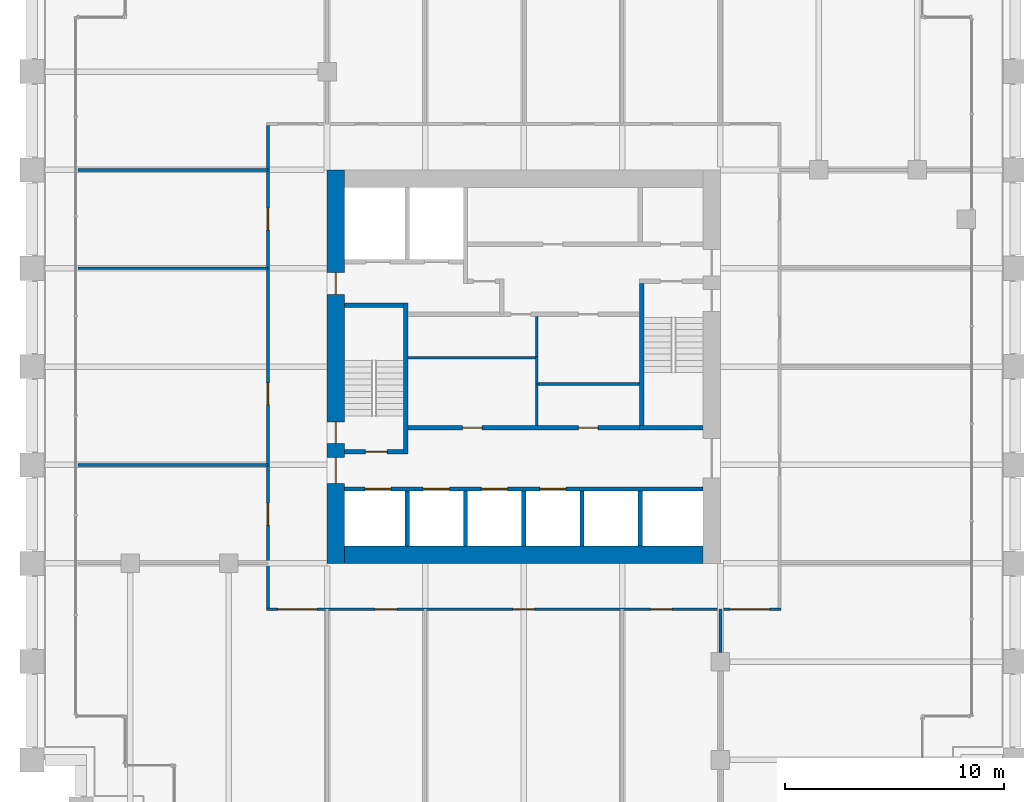
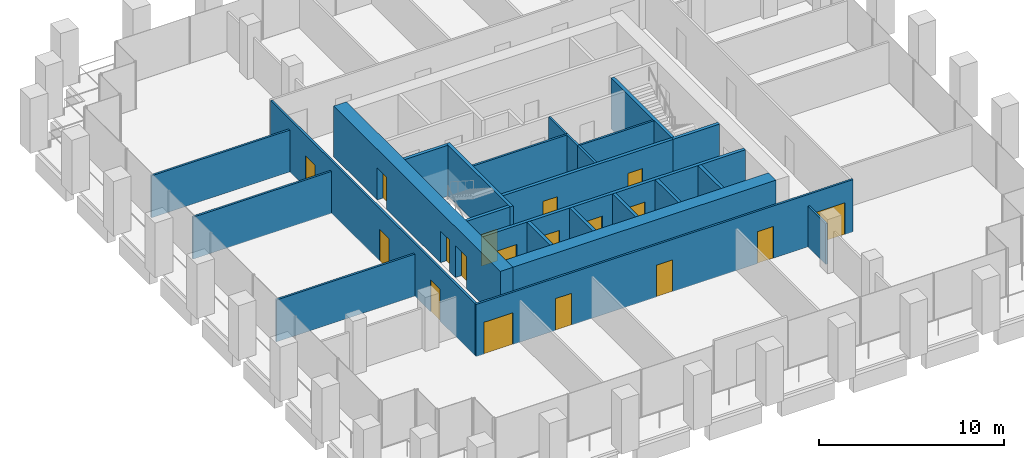
# One storey, part 49 of 55: 25 walls, 18 doors, 18 openings.
"""IFC4 building model written with IfcOpenShell, lengths in metres."""

from ifc_helpers import new_model, si_unit, direction, frame, frame_2d, origin, place, context, subcontext, project, spatial, rectangle, extrude, material, layer, layer_set, type_object, element, fill, save


model = new_model("IFC4")

# Units and contexts
model_context = context("Model", 3, precision=1e-05, world=origin(), true_north=direction((0.0, 1.0)))
body_context = subcontext(model_context, "Body", "Model", "MODEL_VIEW")
ifc_project = project(units=[si_unit("LENGTHUNIT", "METRE"), si_unit("AREAUNIT", "SQUARE_METRE"), si_unit("VOLUMEUNIT", "CUBIC_METRE"), si_unit("PLANEANGLEUNIT", "RADIAN"), si_unit("MASSUNIT", "GRAM", prefix="KILO")], contexts=[model_context])

# Site, building, storey
site_placement = place(None, origin())
site = spatial("IfcSite", under=ifc_project, at=site_placement, CompositionType="ELEMENT")
building_placement = place(site_placement, origin())
building = spatial("IfcBuilding", under=site, at=building_placement, Name="Altepetl Exchange Towers", CompositionType="ELEMENT")
storey_placement = place(building_placement, frame((0.0, 0.0, 47.39990234375)))
storey = spatial("IfcBuildingStorey", under=building, at=storey_placement, Name="L10", CompositionType="ELEMENT", Elevation=47.39990234375)

# Wall
ifc_material_1 = material(Name="Concrete C70/85", Category="concrete")
ifc_layer_1 = layer(ifc_material_1, 0.800048828125)
ifc_layer_set_1 = layer_set([ifc_layer_1], Name="Concrete C70/85")
wall_type_1 = type_object("IfcWallType", Name="Core wall 800 reinforced concrete", PredefinedType="SHEAR", material=ifc_layer_set_1)
wall_1_placement = place(storey_placement, frame((41.300048828125, 40.89990234375, 0.0)))
element("IfcWall", 1, at=wall_1_placement, inside=storey, type_object=wall_type_1, Name="wall:A:L10:K-coreS", PredefinedType="SHEAR", context=body_context, shape_type="SweptSolid", body=[
    extrude(rectangle(XDim=16.39990234375, YDim=0.800048828125, at=frame_2d((8.199951171875, 0.0))), origin(), (0.0, 0.0, 1.0), 3.35009765625),
])

# Wall, openings, doors
wall_2_placement = place(storey_placement, frame((40.89990234375, 40.5, 0.0), z_axis=(0.0, 0.0, 1.0), x_axis=(0.0, 1.0, 0.0)))
wall_2 = element("IfcWall", 2, at=wall_2_placement, inside=storey, type_object=wall_type_1, Name="wall:A:L10:K-coreW", PredefinedType="SHEAR", context=body_context, shape_type="SweptSolid", body=[
    extrude(rectangle(XDim=18.0, YDim=0.800048828125, at=frame_2d((9.0, 0.0))), origin(), (0.0, 0.0, 1.0), 3.35009765625),
])
opening_1_placement = place(wall_2_placement, frame((3.64990234375, 0.0, 0.0)))
opening_1 = element("IfcOpeningElement", 3, at=opening_1_placement, cuts=wall_2, Name="Opening L10.A62", PredefinedType="OPENING", context=body_context, shape_type="SweptSolid", body=[
    extrude(rectangle(XDim=1.199951171875, YDim=2.10009765625, at=frame_2d((0.60009765625, 1.050048828125))), frame((0.0, 0.41015625, 0.0), z_axis=(0.0, -1.0, 0.0), x_axis=(1.0, 0.0, 0.0)), (0.0, 0.0, 1.0), 0.820068359375),
])
opening_2_placement = place(wall_2_placement, frame((5.47509765625, 0.0, 0.0)))
opening_2 = element("IfcOpeningElement", 4, at=opening_2_placement, cuts=wall_2, Name="Opening L10.A64", PredefinedType="OPENING", context=body_context, shape_type="SweptSolid", body=[
    extrude(rectangle(XDim=1.0, YDim=2.10009765625, at=frame_2d((0.5, 1.050048828125))), frame((0.0, 0.41015625, 0.0), z_axis=(0.0, -1.0, 0.0), x_axis=(1.0, 0.0, 0.0)), (0.0, 0.0, 1.0), 0.820068359375),
])
opening_3_placement = place(wall_2_placement, frame((12.300048828125, 0.0, 0.0)))
opening_3 = element("IfcOpeningElement", 5, at=opening_3_placement, cuts=wall_2, Name="Opening L10.A68", PredefinedType="OPENING", context=body_context, shape_type="SweptSolid", body=[
    extrude(rectangle(XDim=1.0, YDim=2.10009765625, at=frame_2d((0.5, 1.050048828125))), frame((0.0, 0.41015625, 0.0), z_axis=(0.0, -1.0, 0.0), x_axis=(1.0, 0.0, 0.0)), (0.0, 0.0, 1.0), 0.820068359375),
])
ifc_material_2 = material(Name="Steel and timber fire door", Category="steel")
door_type_1 = type_object("IfcDoorType", Name="Fire door 1000 x 2100 stair and lobby", OperationType="SINGLE_SWING_LEFT", PredefinedType="DOOR", material=ifc_material_2)
door_1_placement = place(opening_2_placement, frame((1.0, 0.0, 0.0), x_axis=(-1.0, 0.0, 0.0)))
door_1 = element("IfcDoor", 6, at=door_1_placement, inside=storey, type_object=door_type_1, Name="door:A:L10:K-dS1x", OperationType="SINGLE_SWING_RIGHT", OverallHeight=2.10009765625, OverallWidth=1.0, PredefinedType="DOOR", context=body_context, shape_type="SweptSolid", body=[
    extrude(rectangle(XDim=1.0, YDim=2.10009765625, at=frame_2d((0.5, 1.050048828125))), frame((0.0, 0.02490234375, 0.0), z_axis=(0.0, -1.0, 0.0), x_axis=(1.0, 0.0, 0.0)), (0.0, 0.0, 1.0), 0.050048828125),
])
fill(opening_2, door_1)
door_2_placement = place(opening_3_placement, frame((1.0, 0.0, 0.0), x_axis=(-1.0, 0.0, 0.0)))
door_2 = element("IfcDoor", 7, at=door_2_placement, inside=storey, type_object=door_type_1, Name="door:A:L10:K-dffW", OperationType="SINGLE_SWING_LEFT", OverallHeight=2.10009765625, OverallWidth=1.0, PredefinedType="DOOR", context=body_context, shape_type="SweptSolid", body=[
    extrude(rectangle(XDim=1.0, YDim=2.10009765625, at=frame_2d((0.5, 1.050048828125))), frame((0.0, 0.02490234375, 0.0), z_axis=(0.0, -1.0, 0.0), x_axis=(1.0, 0.0, 0.0)), (0.0, 0.0, 1.0), 0.050048828125),
])
fill(opening_3, door_2)
door_type_2 = type_object("IfcDoorType", Name="Fire door 1200 x 2100 lobby entry", OperationType="SINGLE_SWING_LEFT", PredefinedType="DOOR", material=ifc_material_2)
door_3_placement = place(opening_1_placement, frame((1.199951171875, 0.0, 0.0), x_axis=(-1.0, 0.0, 0.0)))
door_3 = element("IfcDoor", 8, at=door_3_placement, inside=storey, type_object=door_type_2, Name="door:A:L10:K-dLSW", OperationType="SINGLE_SWING_LEFT", OverallHeight=2.10009765625, OverallWidth=1.199951171875, PredefinedType="DOOR", context=body_context, shape_type="SweptSolid", body=[
    extrude(rectangle(XDim=1.199951171875, YDim=2.10009765625, at=frame_2d((0.60009765625, 1.050048828125))), frame((0.0, 0.02490234375, 0.0), z_axis=(0.0, -1.0, 0.0), x_axis=(1.0, 0.0, 0.0)), (0.0, 0.0, 1.0), 0.050048828125),
])
fill(opening_1, door_3)

ifc_material_3 = material(Name="Concrete blockwork", Category="masonry")
ifc_layer_2 = layer(ifc_material_3, 0.199951171875)
ifc_layer_set_2 = layer_set([ifc_layer_2], Name="Concrete blockwork")
wall_type_2 = type_object("IfcWallType", Name="Lobby wall 200 blockwork", PredefinedType="PARTITIONING", material=ifc_layer_set_2)
wall_3_placement = place(storey_placement, frame((44.199951171875, 46.699951171875, 0.0)))
wall_3 = element("IfcWall", 9, at=wall_3_placement, inside=storey, type_object=wall_type_2, Name="wall:A:L10:K-zoneS", PredefinedType="PARTITIONING", context=body_context, shape_type="SweptSolid", body=[
    extrude(rectangle(XDim=10.60009765625, YDim=0.199951171875, at=frame_2d((5.300048828125, 0.0))), origin(), (0.0, 0.0, 1.0), 3.35009765625),
])
opening_4_placement = place(wall_3_placement, frame((2.5, 0.0, 0.0)))
opening_4 = element("IfcOpeningElement", 10, at=opening_4_placement, cuts=wall_3, Name="Opening L10.A71", PredefinedType="OPENING", context=body_context, shape_type="SweptSolid", body=[
    extrude(rectangle(XDim=0.89990234375, YDim=2.10009765625, at=frame_2d((0.449951171875, 1.050048828125))), frame((0.0, 0.10986328125, 0.0), z_axis=(0.0, -1.0, 0.0), x_axis=(1.0, 0.0, 0.0)), (0.0, 0.0, 1.0), 0.219970703125),
])
opening_5_placement = place(wall_3_placement, frame((7.800048828125, 0.0, 0.0)))
opening_5 = element("IfcOpeningElement", 11, at=opening_5_placement, cuts=wall_3, Name="Opening L10.A73", PredefinedType="OPENING", context=body_context, shape_type="SweptSolid", body=[
    extrude(rectangle(XDim=0.89990234375, YDim=2.10009765625, at=frame_2d((0.449951171875, 1.050048828125))), frame((0.0, 0.10986328125, 0.0), z_axis=(0.0, -1.0, 0.0), x_axis=(1.0, 0.0, 0.0)), (0.0, 0.0, 1.0), 0.219970703125),
])
door_type_3 = type_object("IfcDoorType", Name="Fire door 900 x 2100 service room", OperationType="SINGLE_SWING_LEFT", PredefinedType="DOOR", material=ifc_material_2)
door_4_placement = place(opening_4_placement, origin())
door_4 = element("IfcDoor", 12, at=door_4_placement, inside=storey, type_object=door_type_3, Name="door:A:L10:K-dz1", OperationType="SINGLE_SWING_RIGHT", OverallHeight=2.10009765625, OverallWidth=0.89990234375, PredefinedType="DOOR", context=body_context, shape_type="SweptSolid", body=[
    extrude(rectangle(XDim=0.89990234375, YDim=2.10009765625, at=frame_2d((0.449951171875, 1.050048828125))), frame((0.0, 0.02490234375, 0.0), z_axis=(0.0, -1.0, 0.0), x_axis=(1.0, 0.0, 0.0)), (0.0, 0.0, 1.0), 0.050048828125),
])
fill(opening_4, door_4)
door_5_placement = place(opening_5_placement, origin())
door_5 = element("IfcDoor", 13, at=door_5_placement, inside=storey, type_object=door_type_3, Name="door:A:L10:K-dz3", OperationType="SINGLE_SWING_RIGHT", OverallHeight=2.10009765625, OverallWidth=0.89990234375, PredefinedType="DOOR", context=body_context, shape_type="SweptSolid", body=[
    extrude(rectangle(XDim=0.89990234375, YDim=2.10009765625, at=frame_2d((0.449951171875, 1.050048828125))), frame((0.0, 0.02490234375, 0.0), z_axis=(0.0, -1.0, 0.0), x_axis=(1.0, 0.0, 0.0)), (0.0, 0.0, 1.0), 0.050048828125),
])
fill(opening_5, door_5)

# Walls
ifc_material_4 = material(Name="Gypsum board on steel studs", Category="steel")
ifc_layer_3 = layer(ifc_material_4, 0.125)
ifc_layer_set_3 = layer_set([ifc_layer_3], Name="Gypsum board on steel studs")
wall_type_3 = type_object("IfcWallType", Name="Partition 125 gypsum board on steel studs", PredefinedType="PARTITIONING", material=ifc_layer_set_3)
wall_4_placement = place(storey_placement, frame((50.10009765625, 46.800048828125, 0.0), z_axis=(0.0, 0.0, 1.0), x_axis=(0.0, 1.0, 0.0)))
element("IfcWall", 14, at=wall_4_placement, inside=storey, type_object=wall_type_3, Name="wall:A:L10:K-zp1", PredefinedType="PARTITIONING", context=body_context, shape_type="SweptSolid", body=[
    extrude(rectangle(XDim=1.96240234375, YDim=0.125, at=frame_2d((0.981201171875, 0.0))), origin(), (0.0, 0.0, 1.0), 3.35009765625),
])
wall_5_placement = place(storey_placement, frame((54.800048828125, 48.699951171875, 0.0), z_axis=(0.0, 0.0, 1.0), x_axis=(-1.0, 0.0, 0.0)))
element("IfcWall", 15, at=wall_5_placement, inside=storey, type_object=wall_type_3, Name="wall:A:L10:K-zp2", PredefinedType="PARTITIONING", context=body_context, shape_type="SweptSolid", body=[
    extrude(rectangle(XDim=4.637451171875, YDim=0.125, at=frame_2d((2.31884765625, 0.0))), origin(), (0.0, 0.0, 1.0), 3.35009765625),
])
wall_6_placement = place(storey_placement, frame((50.10009765625, 48.699951171875, 0.0), z_axis=(0.0, 0.0, 1.0), x_axis=(0.0, 1.0, 0.0)))
element("IfcWall", 16, at=wall_6_placement, inside=storey, type_object=wall_type_3, Name="wall:A:L10:K-zp3", PredefinedType="PARTITIONING", context=body_context, shape_type="SweptSolid", body=[
    extrude(rectangle(XDim=1.262451171875, YDim=0.125, at=frame_2d((0.63134765625, 0.0))), origin(), (0.0, 0.0, 1.0), 3.35009765625),
])
wall_7_placement = place(storey_placement, frame((50.03759765625, 49.89990234375, 0.0), z_axis=(0.0, 0.0, 1.0), x_axis=(-1.0, 0.0, 0.0)))
element("IfcWall", 17, at=wall_7_placement, inside=storey, type_object=wall_type_3, Name="wall:A:L10:K-zp4", PredefinedType="PARTITIONING", context=body_context, shape_type="SweptSolid", body=[
    extrude(rectangle(XDim=5.837646484375, YDim=0.125, at=frame_2d((2.9189453125, 0.0))), origin(), (0.0, 0.0, 1.0), 3.35009765625),
])
wall_8_placement = place(storey_placement, frame((50.10009765625, 49.89990234375, 0.0), z_axis=(0.0, 0.0, 1.0), x_axis=(0.0, 1.0, 0.0)))
element("IfcWall", 18, at=wall_8_placement, inside=storey, type_object=wall_type_3, Name="wall:A:L10:K-zp5", PredefinedType="PARTITIONING", context=body_context, shape_type="SweptSolid", body=[
    extrude(rectangle(XDim=1.900146484375, YDim=0.125, at=frame_2d((0.9501953125, 0.0))), origin(), (0.0, 0.0, 1.0), 3.35009765625),
])

# Wall, openings, doors
wall_9_placement = place(storey_placement, frame((37.737548828125, 38.39990234375, 0.0)))
wall_9 = element("IfcWall", 19, at=wall_9_placement, inside=storey, type_object=wall_type_3, Name="wall:A:L10:P01", PredefinedType="PARTITIONING", context=body_context, shape_type="SweptSolid", body=[
    extrude(rectangle(XDim=23.52490234375, YDim=0.125, at=frame_2d((11.762451171875, 0.0))), origin(), (0.0, 0.0, 1.0), 3.4501953125),
])
opening_6_placement = place(wall_9_placement, frame((0.512451171875, 0.0, 0.0)))
opening_6 = element("IfcOpeningElement", 20, at=opening_6_placement, cuts=wall_9, Name="Opening L10.A02", PredefinedType="OPENING", context=body_context, shape_type="SweptSolid", body=[
    extrude(rectangle(XDim=1.800048828125, YDim=2.10009765625, at=frame_2d((0.89990234375, 1.050048828125))), frame((0.0, 0.072509765625, 0.0), z_axis=(0.0, -1.0, 0.0), x_axis=(1.0, 0.0, 0.0)), (0.0, 0.0, 1.0), 0.14501953125),
])
opening_7_placement = place(wall_9_placement, frame((4.967529296875, 0.0, 0.0)))
opening_7 = element("IfcOpeningElement", 21, at=opening_7_placement, cuts=wall_9, Name="Opening L10.A03", PredefinedType="OPENING", context=body_context, shape_type="SweptSolid", body=[
    extrude(rectangle(XDim=1.0, YDim=2.10009765625, at=frame_2d((0.5, 1.050048828125))), frame((0.0, 0.072509765625, 0.0), z_axis=(0.0, -1.0, 0.0), x_axis=(1.0, 0.0, 0.0)), (0.0, 0.0, 1.0), 0.14501953125),
])
opening_8_placement = place(wall_9_placement, frame((11.262451171875, 0.0, 0.0)))
opening_8 = element("IfcOpeningElement", 22, at=opening_8_placement, cuts=wall_9, Name="Opening L10.A04", PredefinedType="OPENING", context=body_context, shape_type="SweptSolid", body=[
    extrude(rectangle(XDim=1.0, YDim=2.10009765625, at=frame_2d((0.5, 1.050048828125))), frame((0.0, 0.072509765625, 0.0), z_axis=(0.0, -1.0, 0.0), x_axis=(1.0, 0.0, 0.0)), (0.0, 0.0, 1.0), 0.14501953125),
])
opening_9_placement = place(wall_9_placement, frame((17.5576171875, 0.0, 0.0)))
opening_9 = element("IfcOpeningElement", 23, at=opening_9_placement, cuts=wall_9, Name="Opening L10.A05", PredefinedType="OPENING", context=body_context, shape_type="SweptSolid", body=[
    extrude(rectangle(XDim=1.0, YDim=2.10009765625, at=frame_2d((0.5, 1.050048828125))), frame((0.0, 0.072509765625, 0.0), z_axis=(0.0, -1.0, 0.0), x_axis=(1.0, 0.0, 0.0)), (0.0, 0.0, 1.0), 0.14501953125),
])
opening_10_placement = place(wall_9_placement, frame((21.21240234375, 0.0, 0.0)))
opening_10 = element("IfcOpeningElement", 24, at=opening_10_placement, cuts=wall_9, Name="Opening L10.A06", PredefinedType="OPENING", context=body_context, shape_type="SweptSolid", body=[
    extrude(rectangle(XDim=1.800048828125, YDim=2.10009765625, at=frame_2d((0.89990234375, 1.050048828125))), frame((0.0, 0.072509765625, 0.0), z_axis=(0.0, -1.0, 0.0), x_axis=(1.0, 0.0, 0.0)), (0.0, 0.0, 1.0), 0.14501953125),
])
door_type_4 = type_object("IfcDoorType", Name="Fire door 1000 x 2100 single leaf", OperationType="SINGLE_SWING_LEFT", PredefinedType="DOOR", material=ifc_material_2)
door_6_placement = place(opening_7_placement, frame((1.0, 0.0, 0.0), x_axis=(-1.0, 0.0, 0.0)))
door_6 = element("IfcDoor", 25, at=door_6_placement, inside=storey, type_object=door_type_4, Name="door:A:L10:03", OperationType="SINGLE_SWING_LEFT", OverallHeight=2.10009765625, OverallWidth=1.0, PredefinedType="DOOR", context=body_context, shape_type="SweptSolid", body=[
    extrude(rectangle(XDim=1.0, YDim=2.10009765625, at=frame_2d((0.5, 1.050048828125))), frame((0.0, 0.02490234375, 0.0), z_axis=(0.0, -1.0, 0.0), x_axis=(1.0, 0.0, 0.0)), (0.0, 0.0, 1.0), 0.050048828125),
])
fill(opening_7, door_6)
door_7_placement = place(opening_8_placement, frame((1.0, 0.0, 0.0), x_axis=(-1.0, 0.0, 0.0)))
door_7 = element("IfcDoor", 26, at=door_7_placement, inside=storey, type_object=door_type_4, Name="door:A:L10:04", OperationType="SINGLE_SWING_RIGHT", OverallHeight=2.10009765625, OverallWidth=1.0, PredefinedType="DOOR", context=body_context, shape_type="SweptSolid", body=[
    extrude(rectangle(XDim=1.0, YDim=2.10009765625, at=frame_2d((0.5, 1.050048828125))), frame((0.0, 0.02490234375, 0.0), z_axis=(0.0, -1.0, 0.0), x_axis=(1.0, 0.0, 0.0)), (0.0, 0.0, 1.0), 0.050048828125),
])
fill(opening_8, door_7)
door_8_placement = place(opening_9_placement, frame((1.0, 0.0, 0.0), x_axis=(-1.0, 0.0, 0.0)))
door_8 = element("IfcDoor", 27, at=door_8_placement, inside=storey, type_object=door_type_4, Name="door:A:L10:05", OperationType="SINGLE_SWING_LEFT", OverallHeight=2.10009765625, OverallWidth=1.0, PredefinedType="DOOR", context=body_context, shape_type="SweptSolid", body=[
    extrude(rectangle(XDim=1.0, YDim=2.10009765625, at=frame_2d((0.5, 1.050048828125))), frame((0.0, 0.02490234375, 0.0), z_axis=(0.0, -1.0, 0.0), x_axis=(1.0, 0.0, 0.0)), (0.0, 0.0, 1.0), 0.050048828125),
])
fill(opening_9, door_8)
door_type_5 = type_object("IfcDoorType", Name="Fire door 1800 x 2100 double leaf", OperationType="DOUBLE_DOOR_SINGLE_SWING", PredefinedType="DOOR", material=ifc_material_2)
door_9_placement = place(opening_6_placement, frame((1.800048828125, 0.0, 0.0), x_axis=(-1.0, 0.0, 0.0)))
door_9 = element("IfcDoor", 28, at=door_9_placement, inside=storey, type_object=door_type_5, Name="door:A:L10:02", OperationType="DOUBLE_DOOR_SINGLE_SWING", OverallHeight=2.10009765625, OverallWidth=1.800048828125, PredefinedType="DOOR", context=body_context, shape_type="SweptSolid", body=[
    extrude(rectangle(XDim=1.800048828125, YDim=2.10009765625, at=frame_2d((0.89990234375, 1.050048828125))), frame((0.0, 0.02490234375, 0.0), z_axis=(0.0, -1.0, 0.0), x_axis=(1.0, 0.0, 0.0)), (0.0, 0.0, 1.0), 0.050048828125),
])
fill(opening_6, door_9)
door_10_placement = place(opening_10_placement, frame((1.800048828125, 0.0, 0.0), x_axis=(-1.0, 0.0, 0.0)))
door_10 = element("IfcDoor", 29, at=door_10_placement, inside=storey, type_object=door_type_5, Name="door:A:L10:06", OperationType="DOUBLE_DOOR_SINGLE_SWING", OverallHeight=2.10009765625, OverallWidth=1.800048828125, PredefinedType="DOOR", context=body_context, shape_type="SweptSolid", body=[
    extrude(rectangle(XDim=1.800048828125, YDim=2.10009765625, at=frame_2d((0.89990234375, 1.050048828125))), frame((0.0, 0.02490234375, 0.0), z_axis=(0.0, -1.0, 0.0), x_axis=(1.0, 0.0, 0.0)), (0.0, 0.0, 1.0), 0.050048828125),
])
fill(opening_10, door_10)

# Walls
for number, where, name in (
    (30, (29.10009765625, 45.0, 0.0), "wall:A:L10:P06"),
    (31, (29.10009765625, 54.0, 0.0), "wall:A:L10:P08"),
    (32, (29.10009765625, 58.5, 0.0), "wall:A:L10:P10"),
):
    element("IfcWall", number, at=place(storey_placement, frame(where)), inside=storey, type_object=wall_type_3, Name=name, PredefinedType="PARTITIONING", context=body_context, shape_type="SweptSolid", body=[
        extrude(rectangle(XDim=8.699951171875, YDim=0.125, at=frame_2d((4.35009765625, 0.0))), origin(), (0.0, 0.0, 1.0), 2.76611328125),
    ])

# Wall, openings, doors
wall_10_placement = place(storey_placement, frame((37.800048828125, 38.46240234375, 0.0), z_axis=(0.0, 0.0, 1.0), x_axis=(0.0, 1.0, 0.0)))
wall_10 = element("IfcWall", 33, at=wall_10_placement, inside=storey, type_object=wall_type_3, Name="wall:A:L10:P15", PredefinedType="PARTITIONING", context=body_context, shape_type="SweptSolid", body=[
    extrude(rectangle(XDim=22.0751953125, YDim=0.125, at=frame_2d((11.03759765625, 0.0))), origin(), (0.0, 0.0, 1.0), 3.4501953125),
])
opening_11_placement = place(wall_10_placement, frame((3.78759765625, 0.0, 0.0)))
opening_11 = element("IfcOpeningElement", 34, at=opening_11_placement, cuts=wall_10, Name="Opening L10.A01", PredefinedType="OPENING", context=body_context, shape_type="SweptSolid", body=[
    extrude(rectangle(XDim=1.0, YDim=2.10009765625, at=frame_2d((0.5, 1.050048828125))), frame((0.0, 0.072509765625, 0.0), z_axis=(0.0, -1.0, 0.0), x_axis=(1.0, 0.0, 0.0)), (0.0, 0.0, 1.0), 0.14501953125),
])
opening_12_placement = place(wall_10_placement, frame((17.28759765625, 0.0, 0.0)))
opening_12 = element("IfcOpeningElement", 35, at=opening_12_placement, cuts=wall_10, Name="Opening L10.A16", PredefinedType="OPENING", context=body_context, shape_type="SweptSolid", body=[
    extrude(rectangle(XDim=1.0, YDim=2.10009765625, at=frame_2d((0.5, 1.050048828125))), frame((0.0, 0.072509765625, 0.0), z_axis=(0.0, -1.0, 0.0), x_axis=(1.0, 0.0, 0.0)), (0.0, 0.0, 1.0), 0.14501953125),
])
opening_13_placement = place(wall_10_placement, frame((9.29541015625, 0.0, 0.0)))
opening_13 = element("IfcOpeningElement", 36, at=opening_13_placement, cuts=wall_10, Name="Opening L10.A17", PredefinedType="OPENING", context=body_context, shape_type="SweptSolid", body=[
    extrude(rectangle(XDim=1.0, YDim=2.10009765625, at=frame_2d((0.5, 1.050048828125))), frame((0.0, 0.072509765625, 0.0), z_axis=(0.0, -1.0, 0.0), x_axis=(1.0, 0.0, 0.0)), (0.0, 0.0, 1.0), 0.14501953125),
])
door_11_placement = place(opening_11_placement, origin())
door_11 = element("IfcDoor", 37, at=door_11_placement, inside=storey, type_object=door_type_4, Name="door:A:L10:01", OperationType="SINGLE_SWING_RIGHT", OverallHeight=2.10009765625, OverallWidth=1.0, PredefinedType="DOOR", context=body_context, shape_type="SweptSolid", body=[
    extrude(rectangle(XDim=1.0, YDim=2.10009765625, at=frame_2d((0.5, 1.050048828125))), frame((0.0, 0.02490234375, 0.0), z_axis=(0.0, -1.0, 0.0), x_axis=(1.0, 0.0, 0.0)), (0.0, 0.0, 1.0), 0.050048828125),
])
fill(opening_11, door_11)
door_12_placement = place(opening_12_placement, origin())
door_12 = element("IfcDoor", 38, at=door_12_placement, inside=storey, type_object=door_type_4, Name="door:A:L10:16", OperationType="SINGLE_SWING_LEFT", OverallHeight=2.10009765625, OverallWidth=1.0, PredefinedType="DOOR", context=body_context, shape_type="SweptSolid", body=[
    extrude(rectangle(XDim=1.0, YDim=2.10009765625, at=frame_2d((0.5, 1.050048828125))), frame((0.0, 0.02490234375, 0.0), z_axis=(0.0, -1.0, 0.0), x_axis=(1.0, 0.0, 0.0)), (0.0, 0.0, 1.0), 0.050048828125),
])
fill(opening_12, door_12)
door_13_placement = place(opening_13_placement, origin())
door_13 = element("IfcDoor", 39, at=door_13_placement, inside=storey, type_object=door_type_4, Name="door:A:L10:17", OperationType="SINGLE_SWING_LEFT", OverallHeight=2.10009765625, OverallWidth=1.0, PredefinedType="DOOR", context=body_context, shape_type="SweptSolid", body=[
    extrude(rectangle(XDim=1.0, YDim=2.10009765625, at=frame_2d((0.5, 1.050048828125))), frame((0.0, 0.02490234375, 0.0), z_axis=(0.0, -1.0, 0.0), x_axis=(1.0, 0.0, 0.0)), (0.0, 0.0, 1.0), 0.050048828125),
])
fill(opening_13, door_13)

# Walls
wall_11_placement = place(storey_placement, frame((58.5, 36.425048828125, 0.0), z_axis=(0.0, 0.0, 1.0), x_axis=(0.0, 1.0, 0.0)))
element("IfcWall", 40, at=wall_11_placement, inside=storey, type_object=wall_type_3, Name="wall:A:L10:P27", PredefinedType="PARTITIONING", context=body_context, shape_type="SweptSolid", body=[
    extrude(rectangle(XDim=1.974853515625, YDim=0.125, at=frame_2d((0.9873046875, 0.0))), origin(), (0.0, 0.0, 1.0), 2.676025390625),
])
ifc_material_5 = material(Name="Concrete C40/50", Category="concrete")
ifc_layer_4 = layer(ifc_material_5, 0.199951171875)
ifc_layer_set_4 = layer_set([ifc_layer_4], Name="Concrete C40/50")
wall_type_4 = type_object("IfcWallType", Name="Shaft wall 200 reinforced concrete", PredefinedType="SHEAR", material=ifc_layer_set_4)
for number, where, z_axis, x_axis, name in (
    (41, (44.166748046875, 41.300048828125, 0.0), (0.0, 0.0, 1.0), (0.0, 1.0, 0.0), "wall:A:L10:K-divS1"),
    (42, (46.833251953125, 41.300048828125, 0.0), (0.0, 0.0, 1.0), (0.0, 1.0, 0.0), "wall:A:L10:K-divS2"),
    (43, (49.5, 41.300048828125, 0.0), (0.0, 0.0, 1.0), (0.0, 1.0, 0.0), "wall:A:L10:K-divS3"),
    (44, (52.166748046875, 41.300048828125, 0.0), (0.0, 0.0, 1.0), (0.0, 1.0, 0.0), "wall:A:L10:K-divS4"),
    (45, (54.833251953125, 41.300048828125, 0.0), (0.0, 0.0, 1.0), (0.0, 1.0, 0.0), "wall:A:L10:K-divS5"),
):
    element("IfcWall", number, at=place(storey_placement, frame(where, z_axis=z_axis, x_axis=x_axis)), inside=storey, type_object=wall_type_4, Name=name, PredefinedType="SHEAR", context=body_context, shape_type="SweptSolid", body=[
        extrude(rectangle(XDim=2.5, YDim=0.199951171875, at=frame_2d((1.25, 0.0))), origin(), (0.0, 0.0, 1.0), 3.35009765625),
    ])

# Wall, openings, doors
wall_12_placement = place(storey_placement, frame((41.300048828125, 43.89990234375, 0.0)))
wall_12 = element("IfcWall", 46, at=wall_12_placement, inside=storey, type_object=wall_type_4, Name="wall:A:L10:K-frontS", PredefinedType="SHEAR", context=body_context, shape_type="SweptSolid", body=[
    extrude(rectangle(XDim=16.39990234375, YDim=0.199951171875, at=frame_2d((8.199951171875, 0.0))), origin(), (0.0, 0.0, 1.0), 3.35009765625),
])
opening_14_placement = place(wall_12_placement, frame((0.933349609375, 0.0, 0.0)))
opening_14 = element("IfcOpeningElement", 47, at=opening_14_placement, cuts=wall_12, Name="Opening L10.A77", PredefinedType="OPENING", context=body_context, shape_type="SweptSolid", body=[
    extrude(rectangle(XDim=1.199951171875, YDim=2.10009765625, at=frame_2d((0.60009765625, 1.050048828125))), frame((0.0, 0.10986328125, 0.0), z_axis=(0.0, -1.0, 0.0), x_axis=(1.0, 0.0, 0.0)), (0.0, 0.0, 1.0), 0.219970703125),
])
opening_15_placement = place(wall_12_placement, frame((3.60009765625, 0.0, 0.0)))
opening_15 = element("IfcOpeningElement", 48, at=opening_15_placement, cuts=wall_12, Name="Opening L10.A78", PredefinedType="OPENING", context=body_context, shape_type="SweptSolid", body=[
    extrude(rectangle(XDim=1.199951171875, YDim=2.10009765625, at=frame_2d((0.60009765625, 1.050048828125))), frame((0.0, 0.10986328125, 0.0), z_axis=(0.0, -1.0, 0.0), x_axis=(1.0, 0.0, 0.0)), (0.0, 0.0, 1.0), 0.219970703125),
])
opening_16_placement = place(wall_12_placement, frame((6.2666015625, 0.0, 0.0)))
opening_16 = element("IfcOpeningElement", 49, at=opening_16_placement, cuts=wall_12, Name="Opening L10.A79", PredefinedType="OPENING", context=body_context, shape_type="SweptSolid", body=[
    extrude(rectangle(XDim=1.199951171875, YDim=2.10009765625, at=frame_2d((0.60009765625, 1.050048828125))), frame((0.0, 0.10986328125, 0.0), z_axis=(0.0, -1.0, 0.0), x_axis=(1.0, 0.0, 0.0)), (0.0, 0.0, 1.0), 0.219970703125),
])
opening_17_placement = place(wall_12_placement, frame((8.933349609375, 0.0, 0.0)))
opening_17 = element("IfcOpeningElement", 50, at=opening_17_placement, cuts=wall_12, Name="Opening L10.A80", PredefinedType="OPENING", context=body_context, shape_type="SweptSolid", body=[
    extrude(rectangle(XDim=1.199951171875, YDim=2.10009765625, at=frame_2d((0.60009765625, 1.050048828125))), frame((0.0, 0.10986328125, 0.0), z_axis=(0.0, -1.0, 0.0), x_axis=(1.0, 0.0, 0.0)), (0.0, 0.0, 1.0), 0.219970703125),
])
ifc_material_6 = material(Name="Stainless steel", Category="steel")
door_type_6 = type_object("IfcDoorType", Name="Lift landing door 1200 x 2100", OperationType="SLIDING_TO_LEFT", PredefinedType="DOOR", material=ifc_material_6)
door_14_placement = place(opening_14_placement, origin())
door_14 = element("IfcDoor", 51, at=door_14_placement, inside=storey, type_object=door_type_6, Name="Landing door P1", OperationType="SLIDING_TO_LEFT", OverallHeight=2.10009765625, OverallWidth=1.199951171875, PredefinedType="DOOR", context=body_context, shape_type="SweptSolid", body=[
    extrude(rectangle(XDim=1.199951171875, YDim=2.10009765625, at=frame_2d((0.60009765625, 1.050048828125))), frame((0.0, 0.02490234375, 0.0), z_axis=(0.0, -1.0, 0.0), x_axis=(1.0, 0.0, 0.0)), (0.0, 0.0, 1.0), 0.050048828125),
])
fill(opening_14, door_14)
door_15_placement = place(opening_15_placement, origin())
door_15 = element("IfcDoor", 52, at=door_15_placement, inside=storey, type_object=door_type_6, Name="Landing door P2", OperationType="SLIDING_TO_LEFT", OverallHeight=2.10009765625, OverallWidth=1.199951171875, PredefinedType="DOOR", context=body_context, shape_type="SweptSolid", body=[
    extrude(rectangle(XDim=1.199951171875, YDim=2.10009765625, at=frame_2d((0.60009765625, 1.050048828125))), frame((0.0, 0.02490234375, 0.0), z_axis=(0.0, -1.0, 0.0), x_axis=(1.0, 0.0, 0.0)), (0.0, 0.0, 1.0), 0.050048828125),
])
fill(opening_15, door_15)
door_16_placement = place(opening_16_placement, origin())
door_16 = element("IfcDoor", 53, at=door_16_placement, inside=storey, type_object=door_type_6, Name="Landing door P3", OperationType="SLIDING_TO_LEFT", OverallHeight=2.10009765625, OverallWidth=1.199951171875, PredefinedType="DOOR", context=body_context, shape_type="SweptSolid", body=[
    extrude(rectangle(XDim=1.199951171875, YDim=2.10009765625, at=frame_2d((0.60009765625, 1.050048828125))), frame((0.0, 0.02490234375, 0.0), z_axis=(0.0, -1.0, 0.0), x_axis=(1.0, 0.0, 0.0)), (0.0, 0.0, 1.0), 0.050048828125),
])
fill(opening_16, door_16)
door_17_placement = place(opening_17_placement, origin())
door_17 = element("IfcDoor", 54, at=door_17_placement, inside=storey, type_object=door_type_6, Name="Landing door P4", OperationType="SLIDING_TO_LEFT", OverallHeight=2.10009765625, OverallWidth=1.199951171875, PredefinedType="DOOR", context=body_context, shape_type="SweptSolid", body=[
    extrude(rectangle(XDim=1.199951171875, YDim=2.10009765625, at=frame_2d((0.60009765625, 1.050048828125))), frame((0.0, 0.02490234375, 0.0), z_axis=(0.0, -1.0, 0.0), x_axis=(1.0, 0.0, 0.0)), (0.0, 0.0, 1.0), 0.050048828125),
])
fill(opening_17, door_17)

# Walls
ifc_layer_5 = layer(ifc_material_5, 0.199951171875)
ifc_layer_set_5 = layer_set([ifc_layer_5], Name="Concrete C40/50")
wall_type_5 = type_object("IfcWallType", Name="Stair wall 200 reinforced concrete", PredefinedType="SHEAR", material=ifc_layer_set_5)
wall_13_placement = place(storey_placement, frame((44.10009765625, 45.5, 0.0), z_axis=(0.0, 0.0, 1.0), x_axis=(0.0, 1.0, 0.0)))
element("IfcWall", 55, at=wall_13_placement, inside=storey, type_object=wall_type_5, Name="wall:A:L10:K-stS1E", PredefinedType="SHEAR", context=body_context, shape_type="SweptSolid", body=[
    extrude(rectangle(XDim=6.89990234375, YDim=0.199951171875, at=frame_2d((3.449951171875, 0.0))), origin(), (0.0, 0.0, 1.0), 3.35009765625),
])
wall_14_placement = place(storey_placement, frame((41.300048828125, 52.300048828125, 0.0)))
element("IfcWall", 56, at=wall_14_placement, inside=storey, type_object=wall_type_5, Name="wall:A:L10:K-stS1N", PredefinedType="SHEAR", context=body_context, shape_type="SweptSolid", body=[
    extrude(rectangle(XDim=2.699951171875, YDim=0.199951171875, at=frame_2d((1.35009765625, 0.0))), origin(), (0.0, 0.0, 1.0), 3.35009765625),
])

# Wall, opening, door
wall_15_placement = place(storey_placement, frame((41.300048828125, 45.60009765625, 0.0)))
wall_15 = element("IfcWall", 57, at=wall_15_placement, inside=storey, type_object=wall_type_5, Name="wall:A:L10:K-stS1S", PredefinedType="SHEAR", context=body_context, shape_type="SweptSolid", body=[
    extrude(rectangle(XDim=2.699951171875, YDim=0.199951171875, at=frame_2d((1.35009765625, 0.0))), origin(), (0.0, 0.0, 1.0), 3.35009765625),
])
opening_18_placement = place(wall_15_placement, frame((0.949951171875, 0.0, 0.0)))
opening_18 = element("IfcOpeningElement", 58, at=opening_18_placement, cuts=wall_15, Name="Opening L10.A63", PredefinedType="OPENING", context=body_context, shape_type="SweptSolid", body=[
    extrude(rectangle(XDim=1.0, YDim=2.10009765625, at=frame_2d((0.5, 1.050048828125))), frame((0.0, 0.10986328125, 0.0), z_axis=(0.0, -1.0, 0.0), x_axis=(1.0, 0.0, 0.0)), (0.0, 0.0, 1.0), 0.219970703125),
])
door_18_placement = place(opening_18_placement, origin())
door_18 = element("IfcDoor", 59, at=door_18_placement, inside=storey, type_object=door_type_1, Name="door:A:L10:K-dS1in", OperationType="SINGLE_SWING_RIGHT", OverallHeight=2.10009765625, OverallWidth=1.0, PredefinedType="DOOR", context=body_context, shape_type="SweptSolid", body=[
    extrude(rectangle(XDim=1.0, YDim=2.10009765625, at=frame_2d((0.5, 1.050048828125))), frame((0.0, 0.02490234375, 0.0), z_axis=(0.0, -1.0, 0.0), x_axis=(1.0, 0.0, 0.0)), (0.0, 0.0, 1.0), 0.050048828125),
])
fill(opening_18, door_18)

# Walls
wall_16_placement = place(storey_placement, frame((54.800048828125, 46.699951171875, 0.0)))
element("IfcWall", 60, at=wall_16_placement, inside=storey, type_object=wall_type_5, Name="wall:A:L10:K-stS2S", PredefinedType="SHEAR", context=body_context, shape_type="SweptSolid", body=[
    extrude(rectangle(XDim=2.89990234375, YDim=0.199951171875, at=frame_2d((1.449951171875, 0.0))), origin(), (0.0, 0.0, 1.0), 3.35009765625),
])
wall_17_placement = place(storey_placement, frame((54.89990234375, 46.800048828125, 0.0), z_axis=(0.0, 0.0, 1.0), x_axis=(0.0, 1.0, 0.0)))
element("IfcWall", 61, at=wall_17_placement, inside=storey, type_object=wall_type_5, Name="wall:A:L10:K-stS2W", PredefinedType="SHEAR", context=body_context, shape_type="SweptSolid", body=[
    extrude(rectangle(XDim=6.5, YDim=0.199951171875, at=frame_2d((3.25, 0.0))), origin(), (0.0, 0.0, 1.0), 3.35009765625),
])

save(model, "model.ifc")
